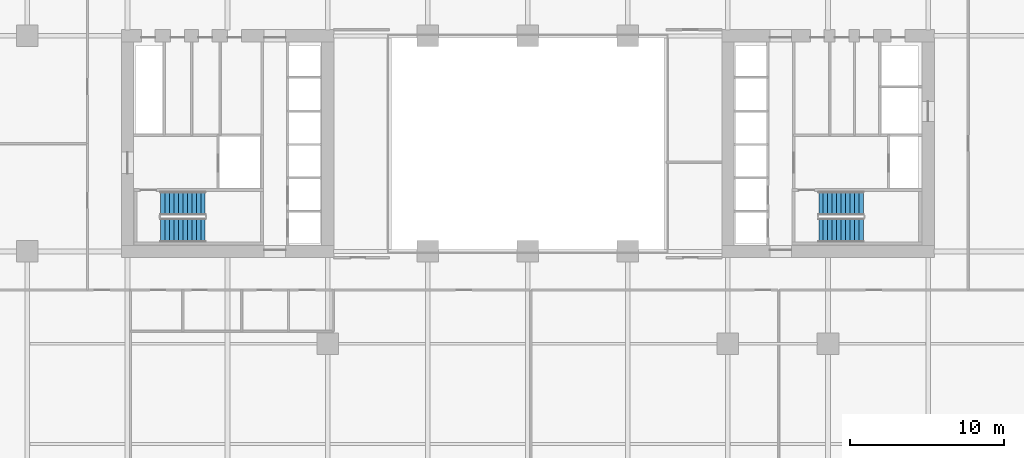
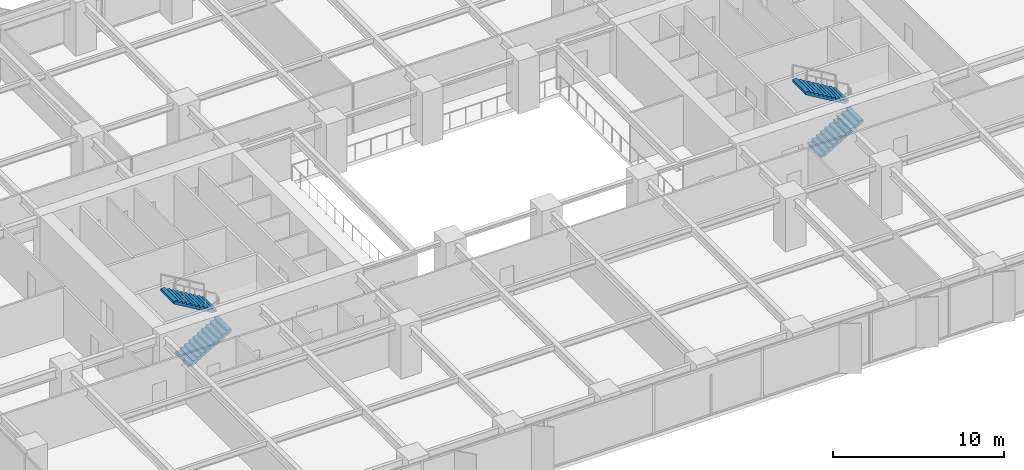
# One storey, part 16 of 20: 4 stair flights, 2 elements without a shape of their own.
"""IFC4 building model written with IfcOpenShell, lengths in metres."""

from ifc_helpers import new_model, si_unit, direction, frame, origin, place, context, subcontext, project, spatial, polyline, outline, extrude, material, type_object, element, aggregate, save


model = new_model("IFC4")

# Units and contexts
model_context = context("Model", 3, precision=1e-05, world=origin(), true_north=direction((0.0, 1.0)))
body_context = subcontext(model_context, "Body", "Model", "MODEL_VIEW")
ifc_project = project(units=[si_unit("LENGTHUNIT", "METRE"), si_unit("AREAUNIT", "SQUARE_METRE"), si_unit("VOLUMEUNIT", "CUBIC_METRE"), si_unit("PLANEANGLEUNIT", "RADIAN"), si_unit("MASSUNIT", "GRAM", prefix="KILO")], contexts=[model_context])

# Site, building, storey
site_placement = place(None, origin())
site = spatial("IfcSite", under=ifc_project, at=site_placement, CompositionType="ELEMENT")
building_placement = place(site_placement, origin())
building = spatial("IfcBuilding", under=site, at=building_placement, Name="Putna Gate Headquarters", CompositionType="ELEMENT")
storey_placement = place(building_placement, frame((0.0, 0.0, 43.0)))
storey = spatial("IfcBuildingStorey", under=building, at=storey_placement, Name="L09", CompositionType="ELEMENT", Elevation=43.0)

# Stair, stair flights
ifc_material = material(Name="Concrete C40/50", Category="concrete")
stair_type_1 = type_object("IfcStairType", Name="STAIR-ST1", PredefinedType="HALF_TURN_STAIR", material=ifc_material)
stair_1_placement = place(storey_placement, origin())
stair_1 = element("IfcStair", 1, at=stair_1_placement, inside=storey, type_object=stair_type_1, Name="L09 West Core Exit Stair ST1", PredefinedType="HALF_TURN_STAIR")
stair_flight_type_1 = type_object("IfcStairFlightType", Name="FLIGHT-ST1", PredefinedType="STRAIGHT", material=ifc_material)
stair_flight_1_placement = place(storey_placement, frame((15.14990234375, 20.375, 0.0), z_axis=(0.0, 0.0, 1.0), x_axis=(1.0, 0.0, 0.0)))
stair_flight_1 = element("IfcStairFlight", 2, at=stair_flight_1_placement, type_object=stair_flight_type_1, Name="ST1 flight 1", NumberOfRisers=11, NumberOfTreads=10, PredefinedType="STRAIGHT", RiserHeight=0.172727273, TreadLength=0.29, context=body_context, shape_type="SweptSolid", body=[
    extrude(outline(polyline([(0.0, 0.0), (0.0, 0.172607421875), (0.2900390625, 0.172607421875), (0.2900390625, 0.345458984375), (0.580078125, 0.345458984375), (0.580078125, 0.51806640625), (0.8701171875, 0.51806640625), (0.8701171875, 0.69091796875), (1.159912109375, 0.69091796875), (1.159912109375, 0.863525390625), (1.449951171875, 0.863525390625), (1.449951171875, 1.036376953125), (1.739990234375, 1.036376953125), (1.739990234375, 1.208984375), (2.030029296875, 1.208984375), (2.030029296875, 1.3818359375), (2.320068359375, 1.3818359375), (2.320068359375, 1.554443359375), (2.610107421875, 1.554443359375), (2.610107421875, 1.727294921875), (2.89990234375, 1.727294921875), (2.89990234375, 1.89990234375), (2.89990234375, 1.552734375), (0.29296875, 0.0), (0.0, 0.0)])), frame((0.0, 0.77490234375, 0.0), z_axis=(0.0, -1.0, 0.0), x_axis=(1.0, 0.0, 0.0)), (0.0, 0.0, 1.0), 1.550048828125),
])
stair_flight_2_placement = place(storey_placement, frame((18.050048828125, 22.125, 1.89990234375), z_axis=(0.0, 0.0, 1.0), x_axis=(-1.0, 0.0, 0.0)))
stair_flight_2 = element("IfcStairFlight", 3, at=stair_flight_2_placement, type_object=stair_flight_type_1, Name="ST1 flight 2", NumberOfRisers=11, NumberOfTreads=10, PredefinedType="STRAIGHT", RiserHeight=0.172727273, TreadLength=0.29, context=body_context, shape_type="SweptSolid", body=[
    extrude(outline(polyline([(0.0, 0.0), (0.0, 0.172607421875), (0.2900390625, 0.172607421875), (0.2900390625, 0.345458984375), (0.580078125, 0.345458984375), (0.580078125, 0.51806640625), (0.8701171875, 0.51806640625), (0.8701171875, 0.69091796875), (1.159912109375, 0.69091796875), (1.159912109375, 0.863525390625), (1.449951171875, 0.863525390625), (1.449951171875, 1.036376953125), (1.739990234375, 1.036376953125), (1.739990234375, 1.208984375), (2.030029296875, 1.208984375), (2.030029296875, 1.3818359375), (2.320068359375, 1.3818359375), (2.320068359375, 1.554443359375), (2.610107421875, 1.554443359375), (2.610107421875, 1.727294921875), (2.89990234375, 1.727294921875), (2.89990234375, 1.89990234375), (2.89990234375, 1.552734375), (0.29296875, 0.0), (0.0, 0.0)])), frame((0.0, 0.77490234375, 0.0), z_axis=(0.0, -1.0, 0.0), x_axis=(1.0, 0.0, 0.0)), (0.0, 0.0, 1.0), 1.550048828125),
])
aggregate(stair_1, [stair_flight_1, stair_flight_2])

stair_type_2 = type_object("IfcStairType", Name="STAIR-ST2", PredefinedType="HALF_TURN_STAIR", material=ifc_material)
stair_2_placement = place(storey_placement, origin())
stair_2 = element("IfcStair", 4, at=stair_2_placement, inside=storey, type_object=stair_type_2, Name="L09 East Core Exit Stair ST2", PredefinedType="HALF_TURN_STAIR")
stair_flight_type_2 = type_object("IfcStairFlightType", Name="FLIGHT-ST2", PredefinedType="STRAIGHT", material=ifc_material)
stair_flight_3_placement = place(storey_placement, frame((57.89990234375, 20.375, 0.0), z_axis=(0.0, 0.0, 1.0), x_axis=(1.0, 0.0, 0.0)))
stair_flight_3 = element("IfcStairFlight", 5, at=stair_flight_3_placement, type_object=stair_flight_type_2, Name="ST2 flight 1", NumberOfRisers=11, NumberOfTreads=10, PredefinedType="STRAIGHT", RiserHeight=0.172727273, TreadLength=0.29, context=body_context, shape_type="SweptSolid", body=[
    extrude(outline(polyline([(0.0, 0.0), (0.0, 0.172607421875), (0.2900390625, 0.172607421875), (0.2900390625, 0.345458984375), (0.580078125, 0.345458984375), (0.580078125, 0.51806640625), (0.8701171875, 0.51806640625), (0.8701171875, 0.69091796875), (1.159912109375, 0.69091796875), (1.159912109375, 0.863525390625), (1.449951171875, 0.863525390625), (1.449951171875, 1.036376953125), (1.739990234375, 1.036376953125), (1.739990234375, 1.208984375), (2.030029296875, 1.208984375), (2.030029296875, 1.3818359375), (2.320068359375, 1.3818359375), (2.320068359375, 1.554443359375), (2.610107421875, 1.554443359375), (2.610107421875, 1.727294921875), (2.89990234375, 1.727294921875), (2.89990234375, 1.89990234375), (2.89990234375, 1.552734375), (0.29296875, 0.0), (0.0, 0.0)])), frame((0.0, 0.77490234375, 0.0), z_axis=(0.0, -1.0, 0.0), x_axis=(1.0, 0.0, 0.0)), (0.0, 0.0, 1.0), 1.550048828125),
])
stair_flight_4_placement = place(storey_placement, frame((60.800048828125, 22.125, 1.89990234375), z_axis=(0.0, 0.0, 1.0), x_axis=(-1.0, 0.0, 0.0)))
stair_flight_4 = element("IfcStairFlight", 6, at=stair_flight_4_placement, type_object=stair_flight_type_2, Name="ST2 flight 2", NumberOfRisers=11, NumberOfTreads=10, PredefinedType="STRAIGHT", RiserHeight=0.172727273, TreadLength=0.29, context=body_context, shape_type="SweptSolid", body=[
    extrude(outline(polyline([(0.0, 0.0), (0.0, 0.172607421875), (0.2900390625, 0.172607421875), (0.2900390625, 0.345458984375), (0.580078125, 0.345458984375), (0.580078125, 0.51806640625), (0.8701171875, 0.51806640625), (0.8701171875, 0.69091796875), (1.159912109375, 0.69091796875), (1.159912109375, 0.863525390625), (1.449951171875, 0.863525390625), (1.449951171875, 1.036376953125), (1.739990234375, 1.036376953125), (1.739990234375, 1.208984375), (2.030029296875, 1.208984375), (2.030029296875, 1.3818359375), (2.320068359375, 1.3818359375), (2.320068359375, 1.554443359375), (2.610107421875, 1.554443359375), (2.610107421875, 1.727294921875), (2.89990234375, 1.727294921875), (2.89990234375, 1.89990234375), (2.89990234375, 1.552734375), (0.29296875, 0.0), (0.0, 0.0)])), frame((0.0, 0.77490234375, 0.0), z_axis=(0.0, -1.0, 0.0), x_axis=(1.0, 0.0, 0.0)), (0.0, 0.0, 1.0), 1.550048828125),
])
aggregate(stair_2, [stair_flight_3, stair_flight_4])

save(model, "model.ifc")
